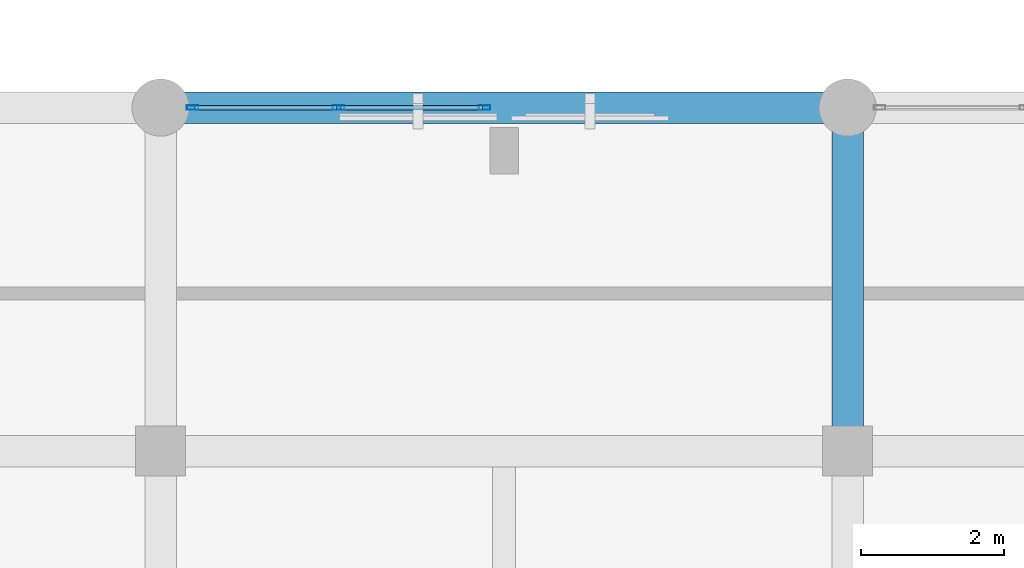
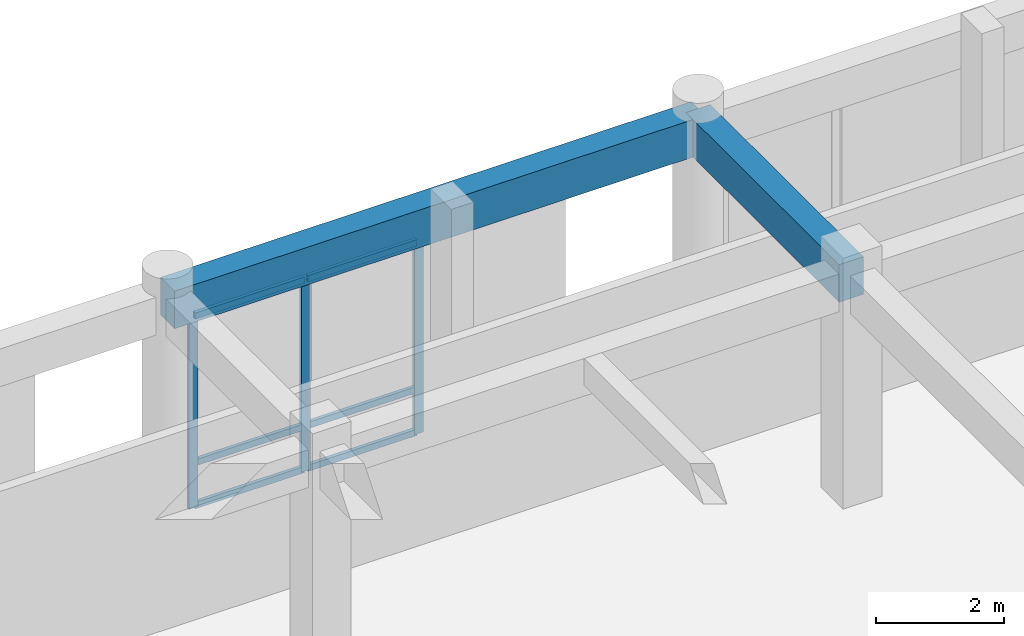
# One storey, part 27 of 133: 9 members, 2 beams, 1 element without a shape of its own.
"""IFC4 building model written with IfcOpenShell, lengths in metres."""

from ifc_helpers import new_model, si_unit, direction, frame, origin, origin_2d, place, context, subcontext, project, spatial, rectangle, hollow_rectangle, extrude, material, layer, layer_set, material_profile, profile_set, type_object, element, aggregate, save


model = new_model("IFC4")

# Units and contexts
model_context = context("Model", 3, precision=1e-05, world=origin(), true_north=direction((0.0, 1.0)))
body_context = subcontext(model_context, "Body", "Model", "MODEL_VIEW")
ifc_project = project(units=[si_unit("LENGTHUNIT", "METRE"), si_unit("AREAUNIT", "SQUARE_METRE"), si_unit("VOLUMEUNIT", "CUBIC_METRE"), si_unit("PLANEANGLEUNIT", "RADIAN"), si_unit("MASSUNIT", "GRAM", prefix="KILO")], contexts=[model_context])

# Site, building, storey
site_placement = place(None, origin())
site = spatial("IfcSite", under=ifc_project, at=site_placement, CompositionType="ELEMENT")
building_placement = place(site_placement, origin())
building = spatial("IfcBuilding", under=site, at=building_placement, Name="Nakhvara Creek Congress Hotel", CompositionType="ELEMENT")
storey_placement = place(building_placement, frame((0.0, 0.0, 11.39990234375)))
storey = spatial("IfcBuildingStorey", under=building, at=storey_placement, Name="L02", CompositionType="ELEMENT", Elevation=11.39990234375)

# Beams
ifc_material_1 = material(Name="Concrete C40/50", Category="concrete")
ifc_material_profile_1 = material_profile(ifc_material_1, rectangle(XDim=0.43994140625, YDim=0.719970703125, at=origin_2d()), Name="RC-BM 440x720", Category="LoadBearing")
ifc_profile_set_1 = profile_set([ifc_material_profile_1], Name="Concrete C40/50")
beam_type = type_object("IfcBeamType", Name="BM-RC-440X720", PredefinedType="BEAM", material=ifc_profile_set_1)
beam_1_placement = place(storey_placement, frame((96.0, 43.199951171875, 4.06005859375), z_axis=(1.0, 0.0, 0.0), x_axis=(0.0, 1.0, 0.0)))
element("IfcBeam", 1, at=beam_1_placement, inside=storey, type_object=beam_type, Name="Beam B12-L02-1486", PredefinedType="BEAM", context=body_context, shape_type="SweptSolid", body=[
    extrude(rectangle(XDim=0.43994140625, YDim=0.719970703125, at=origin_2d()), origin(), (0.0, 0.0, 1.0), 9.60009765625),
])
beam_2_placement = place(storey_placement, frame((105.60009765625, 38.39990234375, 4.06005859375), z_axis=(0.0, 1.0, 0.0), x_axis=(-1.0, 0.0, 0.0)))
element("IfcBeam", 2, at=beam_2_placement, inside=storey, type_object=beam_type, Name="Beam B12-L02-1497", PredefinedType="BEAM", context=body_context, shape_type="SweptSolid", body=[
    extrude(rectangle(XDim=0.43994140625, YDim=0.719970703125, at=origin_2d()), origin(), (0.0, 0.0, 1.0), 4.800048828125),
])

# Curtain wall, members
ifc_material_2 = material(Name="Bronze-anodised aluminium AW-6063-T6 and double-silver low-E glass", Category="aluminium")
ifc_layer = layer(ifc_material_2, 0.199951171875)
ifc_layer_set = layer_set([ifc_layer], Name="Bronze-anodised aluminium AW-6063-T6 and double-silver low-E glass")
curtain_wall_type = type_object("IfcCurtainWallType", Name="CW-POD-STICK", PredefinedType="NOTDEFINED", material=ifc_layer_set)
curtain_wall_placement = place(storey_placement, origin())
curtain_wall = element("IfcCurtainWall", 3, at=curtain_wall_placement, inside=storey, type_object=curtain_wall_type, Name="Curtain Wall CW037", PredefinedType="NOTDEFINED")
ifc_material_3 = material(Name="Bronze-anodised aluminium AW-6063-T6", Category="aluminium")
ifc_material_profile_2 = material_profile(ifc_material_3, hollow_rectangle(XDim=0.06494140625, YDim=0.159912109375, WallThickness=0.00390625, at=origin_2d()), Name="ALU-MULL 65x160x4", Category="LoadBearing")
ifc_profile_set_2 = profile_set([ifc_material_profile_2], Name="Bronze-anodised aluminium AW-6063-T6")
member_type_1 = type_object("IfcMemberType", Name="CW-MULL-160", PredefinedType="MULLION", material=ifc_profile_set_2)
member_1_placement = place(storey_placement, frame((96.447509765625, 43.199951171875, 0.0), z_axis=(0.0, 0.0, 1.0), x_axis=(0.0, 1.0, 0.0)))
member_1 = element("IfcMember", 4, at=member_1_placement, type_object=member_type_1, Name="CW037 mullion 1", PredefinedType="MULLION", context=body_context, shape_type="SweptSolid", body=[
    extrude(hollow_rectangle(XDim=0.06494140625, YDim=0.159912109375, WallThickness=0.00390625, at=origin_2d()), origin(), (0.0, 0.0, 1.0), 3.692138671875),
])
member_2_placement = place(storey_placement, frame((98.487548828125, 43.199951171875, 0.0), z_axis=(0.0, 0.0, 1.0), x_axis=(0.0, 1.0, 0.0)))
member_2 = element("IfcMember", 5, at=member_2_placement, type_object=member_type_1, Name="CW037 mullion 2", PredefinedType="MULLION", context=body_context, shape_type="SweptSolid", body=[
    extrude(hollow_rectangle(XDim=0.06494140625, YDim=0.159912109375, WallThickness=0.00390625, at=origin_2d()), origin(), (0.0, 0.0, 1.0), 3.692138671875),
])
member_3_placement = place(storey_placement, frame((100.527587890625, 43.199951171875, 0.0), z_axis=(0.0, 0.0, 1.0), x_axis=(0.0, 1.0, 0.0)))
member_3 = element("IfcMember", 6, at=member_3_placement, type_object=member_type_1, Name="CW037 mullion 3", PredefinedType="MULLION", context=body_context, shape_type="SweptSolid", body=[
    extrude(hollow_rectangle(XDim=0.06494140625, YDim=0.159912109375, WallThickness=0.00390625, at=origin_2d()), origin(), (0.0, 0.0, 1.0), 3.692138671875),
])
ifc_material_profile_3 = material_profile(ifc_material_3, hollow_rectangle(XDim=0.06494140625, YDim=0.1201171875, WallThickness=0.00390625, at=origin_2d()), Name="ALU-TRAN 65x120x4", Category="LoadBearing")
ifc_profile_set_3 = profile_set([ifc_material_profile_3], Name="Bronze-anodised aluminium AW-6063-T6")
member_type_2 = type_object("IfcMemberType", Name="CW-TRAN-120", PredefinedType="USERDEFINED", material=ifc_profile_set_3)
member_4_placement = place(storey_placement, frame((96.47998046875, 43.199951171875, 0.03271484375), z_axis=(1.0, 0.0, 0.0), x_axis=(0.0, 1.0, 0.0)))
member_4 = element("IfcMember", 7, at=member_4_placement, type_object=member_type_2, Name="CW037 transom 1.1", ObjectType="TRANSOM", PredefinedType="USERDEFINED", context=body_context, shape_type="SweptSolid", body=[
    extrude(hollow_rectangle(XDim=0.06494140625, YDim=0.1201171875, WallThickness=0.00390625, at=origin_2d()), origin(), (0.0, 0.0, 1.0), 1.97509765625),
])
member_5_placement = place(storey_placement, frame((96.47998046875, 43.199951171875, 0.85009765625), z_axis=(1.0, 0.0, 0.0), x_axis=(0.0, 1.0, 0.0)))
member_5 = element("IfcMember", 8, at=member_5_placement, type_object=member_type_2, Name="CW037 transom 1.2", ObjectType="TRANSOM", PredefinedType="USERDEFINED", context=body_context, shape_type="SweptSolid", body=[
    extrude(hollow_rectangle(XDim=0.06494140625, YDim=0.1201171875, WallThickness=0.00390625, at=origin_2d()), origin(), (0.0, 0.0, 1.0), 1.97509765625),
])
member_6_placement = place(storey_placement, frame((96.47998046875, 43.199951171875, 3.65966796875), z_axis=(1.0, 0.0, 0.0), x_axis=(0.0, 1.0, 0.0)))
member_6 = element("IfcMember", 9, at=member_6_placement, type_object=member_type_2, Name="CW037 transom 1.3", ObjectType="TRANSOM", PredefinedType="USERDEFINED", context=body_context, shape_type="SweptSolid", body=[
    extrude(hollow_rectangle(XDim=0.06494140625, YDim=0.1201171875, WallThickness=0.00390625, at=origin_2d()), origin(), (0.0, 0.0, 1.0), 1.97509765625),
])
member_7_placement = place(storey_placement, frame((98.52001953125, 43.199951171875, 0.03271484375), z_axis=(1.0, 0.0, 0.0), x_axis=(0.0, 1.0, 0.0)))
member_7 = element("IfcMember", 10, at=member_7_placement, type_object=member_type_2, Name="CW037 transom 2.1", ObjectType="TRANSOM", PredefinedType="USERDEFINED", context=body_context, shape_type="SweptSolid", body=[
    extrude(hollow_rectangle(XDim=0.06494140625, YDim=0.1201171875, WallThickness=0.00390625, at=origin_2d()), origin(), (0.0, 0.0, 1.0), 1.97509765625),
])
member_8_placement = place(storey_placement, frame((98.52001953125, 43.199951171875, 0.85009765625), z_axis=(1.0, 0.0, 0.0), x_axis=(0.0, 1.0, 0.0)))
member_8 = element("IfcMember", 11, at=member_8_placement, type_object=member_type_2, Name="CW037 transom 2.2", ObjectType="TRANSOM", PredefinedType="USERDEFINED", context=body_context, shape_type="SweptSolid", body=[
    extrude(hollow_rectangle(XDim=0.06494140625, YDim=0.1201171875, WallThickness=0.00390625, at=origin_2d()), origin(), (0.0, 0.0, 1.0), 1.97509765625),
])
member_9_placement = place(storey_placement, frame((98.52001953125, 43.199951171875, 3.65966796875), z_axis=(1.0, 0.0, 0.0), x_axis=(0.0, 1.0, 0.0)))
member_9 = element("IfcMember", 12, at=member_9_placement, type_object=member_type_2, Name="CW037 transom 2.3", ObjectType="TRANSOM", PredefinedType="USERDEFINED", context=body_context, shape_type="SweptSolid", body=[
    extrude(hollow_rectangle(XDim=0.06494140625, YDim=0.1201171875, WallThickness=0.00390625, at=origin_2d()), origin(), (0.0, 0.0, 1.0), 1.97509765625),
])
aggregate(curtain_wall, [member_1, member_2, member_3, member_4, member_5, member_6, member_7, member_8, member_9])

save(model, "model.ifc")
